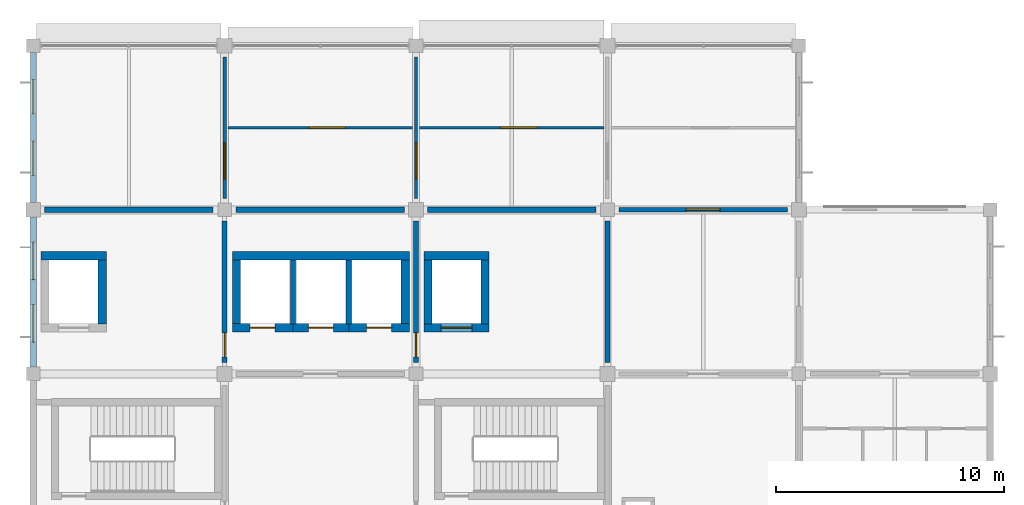
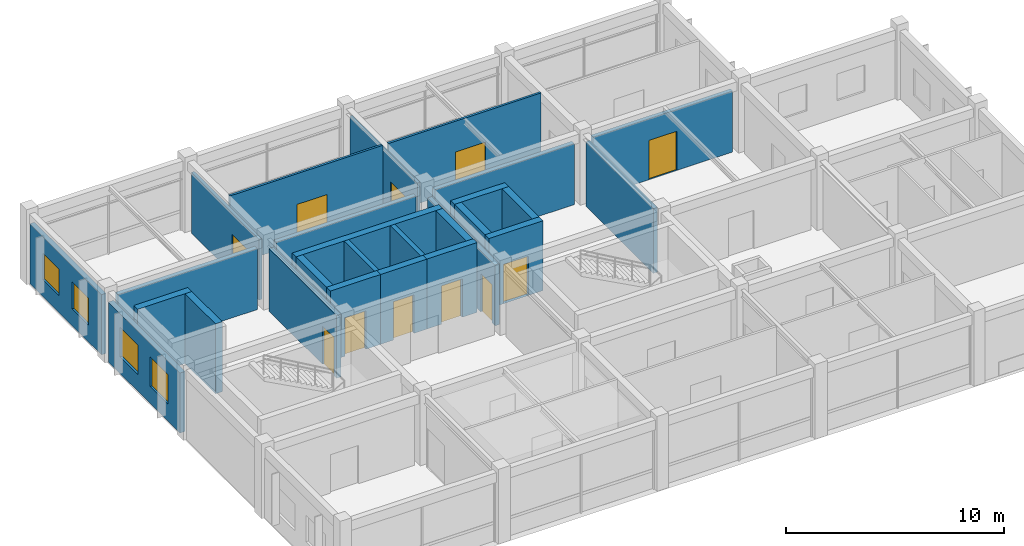
# One storey, part 9 of 13: 27 walls, 11 doors, 4 windows, 15 openings.
"""IFC4 building model written with IfcOpenShell, lengths in metres."""

from ifc_helpers import new_model, si_unit, derived_unit, direction, frame, frame_2d, origin, place, context, subcontext, project, spatial, rectangle, extrude, material, layer, layer_set, type_object, element, fill, save


model = new_model("IFC4")

# Units and contexts
model_context = context("Model", 3, precision=1e-05, world=origin(), true_north=direction((0.0, 1.0)))
body_context = subcontext(model_context, "Body", "Model", "MODEL_VIEW")
ifc_project = project(units=[si_unit("LENGTHUNIT", "METRE"), si_unit("AREAUNIT", "SQUARE_METRE"), si_unit("VOLUMEUNIT", "CUBIC_METRE"), si_unit("PLANEANGLEUNIT", "RADIAN"), si_unit("MASSUNIT", "GRAM", prefix="KILO"), derived_unit("THERMALTRANSMITTANCEUNIT", [(si_unit("MASSUNIT", "GRAM", prefix="KILO"), 1), (si_unit("TIMEUNIT", "SECOND"), -3), (si_unit("THERMODYNAMICTEMPERATUREUNIT", "KELVIN"), -1)])], contexts=[model_context])

# Site, building, storey
site_placement = place(None, origin())
site = spatial("IfcSite", under=ifc_project, at=site_placement, CompositionType="ELEMENT")
building_placement = place(site_placement, origin())
building = spatial("IfcBuilding", under=site, at=building_placement, Name="Veldstrom Oceanarium and Marine Research Institute", CompositionType="ELEMENT")
storey_placement = place(building_placement, frame((0.0, 0.0, 56.39990234375)))
storey = spatial("IfcBuildingStorey", under=building, at=storey_placement, Name="L12", CompositionType="ELEMENT", Elevation=56.39990234375)

# Wall, openings, windows
ifc_material_1 = material(Name="Masonry Cavity Wall", Category="masonry")
ifc_layer_1 = layer(ifc_material_1, 0.27001953125)
ifc_layer_set_1 = layer_set([ifc_layer_1], Name="ARC-WAL-EW3")
wall_type_1 = type_object("IfcWallType", Name="ARC-WAL-EW3", PredefinedType="SOLIDWALL", material=ifc_layer_set_1)
wall_1_placement = place(storey_placement, frame((75.60009765625, 57.89990234375, 0.0), z_axis=(0.0, 0.0, 1.0), x_axis=(0.0, 1.0, 0.0)))
wall_1 = element("IfcWall", 1, at=wall_1_placement, inside=storey, type_object=wall_type_1, Name="Exterior Facade Wall EW3 L12-243", PredefinedType="SOLIDWALL", context=body_context, shape_type="SweptSolid", body=[
    extrude(rectangle(XDim=6.5751953125, YDim=0.27001953125, at=frame_2d((3.28759765625, 0.0))), origin(), (0.0, 0.0, 1.0), 3.364990234375),
])
opening_1_placement = place(wall_1_placement, frame((1.091796875, 0.0, 0.949951171875)))
opening_1 = element("IfcOpeningElement", 2, at=opening_1_placement, cuts=wall_1, Name="Opening W23", PredefinedType="OPENING", context=body_context, shape_type="SweptSolid", body=[
    extrude(rectangle(XDim=1.64990234375, YDim=1.64990234375, at=frame_2d((0.824951171875, 0.824951171875))), frame((0.0, 0.14501953125, 0.0), z_axis=(0.0, -1.0, 0.0), x_axis=(1.0, 0.0, 0.0)), (0.0, 0.0, 1.0), 0.2900390625),
])
opening_2_placement = place(wall_1_placement, frame((3.833251953125, 0.0, 0.949951171875)))
opening_2 = element("IfcOpeningElement", 3, at=opening_2_placement, cuts=wall_1, Name="Opening W23", PredefinedType="OPENING", context=body_context, shape_type="SweptSolid", body=[
    extrude(rectangle(XDim=1.64990234375, YDim=1.64990234375, at=frame_2d((0.824951171875, 0.824951171875))), frame((0.0, 0.14501953125, 0.0), z_axis=(0.0, -1.0, 0.0), x_axis=(1.0, 0.0, 0.0)), (0.0, 0.0, 1.0), 0.2900390625),
])
ifc_material_2 = material(Name="Double Glazed Low-E IGU", Category="glass")
window_type_1 = type_object("IfcWindowType", Name="ARC-WIN-W23", PartitioningType="SINGLE_PANEL", PredefinedType="WINDOW", material=ifc_material_2)
window_1_placement = place(opening_1_placement, origin())
window_1 = element("IfcWindow", 4, at=window_1_placement, inside=storey, type_object=window_type_1, Name="Facade Window W23 L12-0227", OverallHeight=1.64990234375, OverallWidth=1.64990234375, PartitioningType="SINGLE_PANEL", PredefinedType="WINDOW", context=body_context, shape_type="SweptSolid", body=[
    extrude(rectangle(XDim=1.64990234375, YDim=1.64990234375, at=frame_2d((0.824951171875, 0.824951171875))), frame((0.0, 0.030029296875, 0.0), z_axis=(0.0, -1.0, 0.0), x_axis=(1.0, 0.0, 0.0)), (0.0, 0.0, 1.0), 0.06005859375),
])
fill(opening_1, window_1)
window_2_placement = place(opening_2_placement, origin())
window_2 = element("IfcWindow", 5, at=window_2_placement, inside=storey, type_object=window_type_1, Name="Facade Window W23 L12-0228", OverallHeight=1.64990234375, OverallWidth=1.64990234375, PartitioningType="SINGLE_PANEL", PredefinedType="WINDOW", context=body_context, shape_type="SweptSolid", body=[
    extrude(rectangle(XDim=1.64990234375, YDim=1.64990234375, at=frame_2d((0.824951171875, 0.824951171875))), frame((0.0, 0.030029296875, 0.0), z_axis=(0.0, -1.0, 0.0), x_axis=(1.0, 0.0, 0.0)), (0.0, 0.0, 1.0), 0.06005859375),
])
fill(opening_2, window_2)

ifc_material_3 = material(Name="Masonry Cavity Wall", Category="masonry")
ifc_layer_2 = layer(ifc_material_3, 0.25)
ifc_layer_set_2 = layer_set([ifc_layer_2], Name="ARC-WAL-EW5")
wall_type_2 = type_object("IfcWallType", Name="ARC-WAL-EW5", PredefinedType="SOLIDWALL", material=ifc_layer_set_2)
wall_2_placement = place(storey_placement, frame((75.60009765625, 65.125, 0.0), z_axis=(0.0, 0.0, 1.0), x_axis=(0.0, 1.0, 0.0)))
wall_2 = element("IfcWall", 6, at=wall_2_placement, inside=storey, type_object=wall_type_2, Name="Exterior Facade Wall EW5 L12-244", PredefinedType="SOLIDWALL", context=body_context, shape_type="SweptSolid", body=[
    extrude(rectangle(XDim=6.574951171875, YDim=0.25, at=frame_2d((3.28759765625, 0.0))), origin(), (0.0, 0.0, 1.0), 3.364990234375),
])
opening_3_placement = place(wall_2_placement, frame((1.191650390625, 0.0, 0.949951171875)))
opening_3 = element("IfcOpeningElement", 7, at=opening_3_placement, cuts=wall_2, Name="Opening W15", PredefinedType="OPENING", context=body_context, shape_type="SweptSolid", body=[
    extrude(rectangle(XDim=1.5, YDim=1.5, at=frame_2d((0.75, 0.75))), frame((0.0, 0.135009765625, 0.0), z_axis=(0.0, -1.0, 0.0), x_axis=(1.0, 0.0, 0.0)), (0.0, 0.0, 1.0), 0.27001953125),
])
opening_4_placement = place(wall_2_placement, frame((3.88330078125, 0.0, 0.949951171875)))
opening_4 = element("IfcOpeningElement", 8, at=opening_4_placement, cuts=wall_2, Name="Opening W15", PredefinedType="OPENING", context=body_context, shape_type="SweptSolid", body=[
    extrude(rectangle(XDim=1.5, YDim=1.5, at=frame_2d((0.75, 0.75))), frame((0.0, 0.135009765625, 0.0), z_axis=(0.0, -1.0, 0.0), x_axis=(1.0, 0.0, 0.0)), (0.0, 0.0, 1.0), 0.27001953125),
])
ifc_material_4 = material(Name="Double Glazed Low-E IGU", Category="glass")
window_type_2 = type_object("IfcWindowType", Name="ARC-WIN-W15", PartitioningType="SINGLE_PANEL", PredefinedType="WINDOW", material=ifc_material_4)
window_3_placement = place(opening_3_placement, origin())
window_3 = element("IfcWindow", 9, at=window_3_placement, inside=storey, type_object=window_type_2, Name="Facade Window W15 L12-0229", OverallHeight=1.5, OverallWidth=1.5, PartitioningType="SINGLE_PANEL", PredefinedType="WINDOW", context=body_context, shape_type="SweptSolid", body=[
    extrude(rectangle(XDim=1.5, YDim=1.5, at=frame_2d((0.75, 0.75))), frame((0.0, 0.030029296875, 0.0), z_axis=(0.0, -1.0, 0.0), x_axis=(1.0, 0.0, 0.0)), (0.0, 0.0, 1.0), 0.06005859375),
])
fill(opening_3, window_3)
window_4_placement = place(opening_4_placement, origin())
window_4 = element("IfcWindow", 10, at=window_4_placement, inside=storey, type_object=window_type_2, Name="Facade Window W15 L12-0230", OverallHeight=1.5, OverallWidth=1.5, PartitioningType="SINGLE_PANEL", PredefinedType="WINDOW", context=body_context, shape_type="SweptSolid", body=[
    extrude(rectangle(XDim=1.5, YDim=1.5, at=frame_2d((0.75, 0.75))), frame((0.0, 0.030029296875, 0.0), z_axis=(0.0, -1.0, 0.0), x_axis=(1.0, 0.0, 0.0)), (0.0, 0.0, 1.0), 0.06005859375),
])
fill(opening_4, window_4)

# Wall, opening, door
ifc_material_5 = material(Name="Masonry Fire Compartment Wall", Category="masonry")
ifc_layer_3 = layer(ifc_material_5, 0.22998046875)
ifc_layer_set_3 = layer_set([ifc_layer_3], Name="ARC-WAL-PT1")
wall_type_3 = type_object("IfcWallType", Name="ARC-WAL-PT1", PredefinedType="PARTITIONING", material=ifc_layer_set_3)
wall_3_placement = place(storey_placement, frame((84.0, 58.10009765625, 0.0), z_axis=(0.0, 0.0, 1.0), x_axis=(0.0, 1.0, 0.0)))
wall_3 = element("IfcWall", 11, at=wall_3_placement, inside=storey, type_object=wall_type_3, Name="Interior Partition PT1 L12-1713", PredefinedType="PARTITIONING", context=body_context, shape_type="SweptSolid", body=[
    extrude(rectangle(XDim=6.199951171875, YDim=0.22998046875, at=frame_2d((3.10009765625, 0.0))), origin(), (0.0, 0.0, 1.0), 3.51513671875),
])
opening_5_placement = place(wall_3_placement, frame((0.25, 0.0, 0.0)))
opening_5 = element("IfcOpeningElement", 12, at=opening_5_placement, cuts=wall_3, Name="Opening D-L12-1055", PredefinedType="OPENING", context=body_context, shape_type="SweptSolid", body=[
    extrude(rectangle(XDim=1.050048828125, YDim=2.14990234375, at=frame_2d((0.52490234375, 1.074951171875))), frame((0.0, 0.125, 0.0), z_axis=(0.0, -1.0, 0.0), x_axis=(1.0, 0.0, 0.0)), (0.0, 0.0, 1.0), 0.25),
])
ifc_material_6 = material(Name="Painted Steel Fire Door", Category="steel")
door_type_1 = type_object("IfcDoorType", Name="ARC-DOR-SD1", OperationType="SINGLE_SWING_LEFT", PredefinedType="DOOR", material=ifc_material_6)
door_1_placement = place(opening_5_placement, origin())
door_1 = element("IfcDoor", 13, at=door_1_placement, inside=storey, type_object=door_type_1, Name="Interior Door D-L12-1055", OperationType="SINGLE_SWING_LEFT", OverallHeight=2.14990234375, OverallWidth=1.050048828125, PredefinedType="DOOR", context=body_context, shape_type="SweptSolid", body=[
    extrude(rectangle(XDim=1.050048828125, YDim=2.14990234375, at=frame_2d((0.52490234375, 1.074951171875))), frame((0.0, 0.02490234375, 0.0), z_axis=(0.0, -1.0, 0.0), x_axis=(1.0, 0.0, 0.0)), (0.0, 0.0, 1.0), 0.050048828125),
])
fill(opening_5, door_1)

# Wall
wall_4_placement = place(storey_placement, frame((76.10009765625, 64.800048828125, 0.0), z_axis=(0.0, 0.0, 1.0), x_axis=(1.0, 0.0, 0.0)))
element("IfcWall", 14, at=wall_4_placement, inside=storey, type_object=wall_type_3, Name="Interior Partition PT1 L12-1714", PredefinedType="PARTITIONING", context=body_context, shape_type="SweptSolid", body=[
    extrude(rectangle(XDim=7.39990234375, YDim=0.22998046875, at=frame_2d((3.699951171875, 0.0))), origin(), (0.0, 0.0, 1.0), 3.4150390625),
])

# Wall, opening, door
wall_5_placement = place(storey_placement, frame((92.39990234375, 58.10009765625, 0.0), z_axis=(0.0, 0.0, 1.0), x_axis=(0.0, 1.0, 0.0)))
wall_5 = element("IfcWall", 15, at=wall_5_placement, inside=storey, type_object=wall_type_3, Name="Interior Partition PT1 L12-1720", PredefinedType="PARTITIONING", context=body_context, shape_type="SweptSolid", body=[
    extrude(rectangle(XDim=6.199951171875, YDim=0.22998046875, at=frame_2d((3.10009765625, 0.0))), origin(), (0.0, 0.0, 1.0), 3.4150390625),
])
opening_6_placement = place(wall_5_placement, frame((0.25, 0.0, 0.0)))
opening_6 = element("IfcOpeningElement", 16, at=opening_6_placement, cuts=wall_5, Name="Opening D-L12-1061", PredefinedType="OPENING", context=body_context, shape_type="SweptSolid", body=[
    extrude(rectangle(XDim=1.050048828125, YDim=2.14990234375, at=frame_2d((0.52490234375, 1.074951171875))), frame((0.0, 0.125, 0.0), z_axis=(0.0, -1.0, 0.0), x_axis=(1.0, 0.0, 0.0)), (0.0, 0.0, 1.0), 0.25),
])
door_2_placement = place(opening_6_placement, frame((1.050048828125, 0.0, 0.0), z_axis=(0.0, 0.0, 1.0), x_axis=(-1.0, 0.0, 0.0)))
door_2 = element("IfcDoor", 17, at=door_2_placement, inside=storey, type_object=door_type_1, Name="Interior Door D-L12-1061", OperationType="SINGLE_SWING_RIGHT", OverallHeight=2.14990234375, OverallWidth=1.050048828125, PredefinedType="DOOR", context=body_context, shape_type="SweptSolid", body=[
    extrude(rectangle(XDim=1.050048828125, YDim=2.14990234375, at=frame_2d((0.52490234375, 1.074951171875))), frame((0.0, 0.02490234375, 0.0), z_axis=(0.0, -1.0, 0.0), x_axis=(1.0, 0.0, 0.0)), (0.0, 0.0, 1.0), 0.050048828125),
])
fill(opening_6, door_2)

# Walls
wall_6_placement = place(storey_placement, frame((84.5, 64.800048828125, 0.0), z_axis=(0.0, 0.0, 1.0), x_axis=(1.0, 0.0, 0.0)))
element("IfcWall", 18, at=wall_6_placement, inside=storey, type_object=wall_type_3, Name="Interior Partition PT1 L12-1721", PredefinedType="PARTITIONING", context=body_context, shape_type="SweptSolid", body=[
    extrude(rectangle(XDim=7.39990234375, YDim=0.22998046875, at=frame_2d((3.699951171875, 0.0))), origin(), (0.0, 0.0, 1.0), 3.4150390625),
])
wall_7_placement = place(storey_placement, frame((100.800048828125, 58.10009765625, 0.0), z_axis=(0.0, 0.0, 1.0), x_axis=(0.0, 1.0, 0.0)))
element("IfcWall", 19, at=wall_7_placement, inside=storey, type_object=wall_type_3, Name="Interior Partition PT1 L12-1727", PredefinedType="PARTITIONING", context=body_context, shape_type="SweptSolid", body=[
    extrude(rectangle(XDim=6.199951171875, YDim=0.22998046875, at=frame_2d((3.10009765625, 0.0))), origin(), (0.0, 0.0, 1.0), 3.625),
])
wall_8_placement = place(storey_placement, frame((92.89990234375, 64.800048828125, 0.0), z_axis=(0.0, 0.0, 1.0), x_axis=(1.0, 0.0, 0.0)))
element("IfcWall", 20, at=wall_8_placement, inside=storey, type_object=wall_type_3, Name="Interior Partition PT1 L12-1728", PredefinedType="PARTITIONING", context=body_context, shape_type="SweptSolid", body=[
    extrude(rectangle(XDim=7.400146484375, YDim=0.22998046875, at=frame_2d((3.7001953125, 0.0))), origin(), (0.0, 0.0, 1.0), 3.4150390625),
])

# Wall, opening, door
ifc_material_7 = material(Name="Gypsum Acoustic Lab Partition", Category="gypsum")
ifc_layer_4 = layer(ifc_material_7, 0.1201171875)
ifc_layer_set_4 = layer_set([ifc_layer_4], Name="ARC-WAL-PT10")
wall_type_4 = type_object("IfcWallType", Name="ARC-WAL-PT10", PredefinedType="PARTITIONING", material=ifc_layer_set_4)
wall_9_placement = place(storey_placement, frame((84.14990234375, 68.39990234375, 0.0), z_axis=(0.0, 0.0, 1.0), x_axis=(1.0, 0.0, 0.0)))
wall_9 = element("IfcWall", 21, at=wall_9_placement, inside=storey, type_object=wall_type_4, Name="Laboratory Suite Partition L12-10/9", PredefinedType="PARTITIONING", context=body_context, shape_type="SweptSolid", body=[
    extrude(rectangle(XDim=8.10009765625, YDim=0.1201171875, at=frame_2d((4.050048828125, 0.0))), origin(), (0.0, 0.0, 1.0), 3.920166015625),
])
opening_7_placement = place(wall_9_placement, frame((3.550048828125, 0.0, 0.0)))
opening_7 = element("IfcOpeningElement", 22, at=opening_7_placement, cuts=wall_9, Name="Opening D-L12-S1049", PredefinedType="OPENING", context=body_context, shape_type="SweptSolid", body=[
    extrude(rectangle(XDim=1.60009765625, YDim=2.199951171875, at=frame_2d((0.800048828125, 1.10009765625))), frame((0.0, 0.070068359375, 0.0), z_axis=(0.0, -1.0, 0.0), x_axis=(1.0, 0.0, 0.0)), (0.0, 0.0, 1.0), 0.14013671875),
])
ifc_material_8 = material(Name="Acoustic Timber Corridor Door", Category="wood")
door_type_2 = type_object("IfcDoorType", Name="ARC-DOR-ID02", OperationType="DOUBLE_DOOR_SINGLE_SWING", PredefinedType="DOOR", material=ifc_material_8)
door_3_placement = place(opening_7_placement, origin())
door_3 = element("IfcDoor", 23, at=door_3_placement, inside=storey, type_object=door_type_2, Name="Suite Interior Door D-L12-S1049", OperationType="SINGLE_SWING_LEFT", OverallHeight=2.199951171875, OverallWidth=1.60009765625, PredefinedType="DOOR", context=body_context, shape_type="SweptSolid", body=[
    extrude(rectangle(XDim=1.60009765625, YDim=2.199951171875, at=frame_2d((0.800048828125, 1.10009765625))), frame((0.0, 0.02490234375, 0.0), z_axis=(0.0, -1.0, 0.0), x_axis=(1.0, 0.0, 0.0)), (0.0, 0.0, 1.0), 0.050048828125),
])
fill(opening_7, door_3)

wall_10_placement = place(storey_placement, frame((92.550048828125, 68.39990234375, 0.0), z_axis=(0.0, 0.0, 1.0), x_axis=(1.0, 0.0, 0.0)))
wall_10 = element("IfcWall", 24, at=wall_10_placement, inside=storey, type_object=wall_type_4, Name="Laboratory Suite Partition L12-11/9", PredefinedType="PARTITIONING", context=body_context, shape_type="SweptSolid", body=[
    extrude(rectangle(XDim=8.099853515625, YDim=0.1201171875, at=frame_2d((4.0498046875, 0.0))), origin(), (0.0, 0.0, 1.0), 3.920166015625),
])
opening_8_placement = place(wall_10_placement, frame((3.550048828125, 0.0, 0.0)))
opening_8 = element("IfcOpeningElement", 25, at=opening_8_placement, cuts=wall_10, Name="Opening D-L12-S1050", PredefinedType="OPENING", context=body_context, shape_type="SweptSolid", body=[
    extrude(rectangle(XDim=1.60009765625, YDim=2.199951171875, at=frame_2d((0.800048828125, 1.10009765625))), frame((0.0, 0.070068359375, 0.0), z_axis=(0.0, -1.0, 0.0), x_axis=(1.0, 0.0, 0.0)), (0.0, 0.0, 1.0), 0.14013671875),
])
door_4_placement = place(opening_8_placement, origin())
door_4 = element("IfcDoor", 26, at=door_4_placement, inside=storey, type_object=door_type_2, Name="Suite Interior Door D-L12-S1050", OperationType="SINGLE_SWING_RIGHT", OverallHeight=2.199951171875, OverallWidth=1.60009765625, PredefinedType="DOOR", context=body_context, shape_type="SweptSolid", body=[
    extrude(rectangle(XDim=1.60009765625, YDim=2.199951171875, at=frame_2d((0.800048828125, 1.10009765625))), frame((0.0, 0.02490234375, 0.0), z_axis=(0.0, -1.0, 0.0), x_axis=(1.0, 0.0, 0.0)), (0.0, 0.0, 1.0), 0.050048828125),
])
fill(opening_8, door_4)

ifc_material_9 = material(Name="Masonry Acoustic Lab Partition", Category="masonry")
ifc_layer_5 = layer(ifc_material_9, 0.205078125)
ifc_layer_set_5 = layer_set([ifc_layer_5], Name="ARC-WAL-PT2")
wall_type_5 = type_object("IfcWallType", Name="ARC-WAL-PT2", PredefinedType="PARTITIONING", material=ifc_layer_set_5)
wall_11_placement = place(storey_placement, frame((101.300048828125, 64.800048828125, 0.0), z_axis=(0.0, 0.0, 1.0), x_axis=(1.0, 0.0, 0.0)))
wall_11 = element("IfcWall", 27, at=wall_11_placement, inside=storey, type_object=wall_type_5, Name="Interior Partition PT2 L12-1735", PredefinedType="PARTITIONING", context=body_context, shape_type="SweptSolid", body=[
    extrude(rectangle(XDim=7.39990234375, YDim=0.205078125, at=frame_2d((3.699951171875, 0.0))), origin(), (0.0, 0.0, 1.0), 3.4150390625),
])
opening_9_placement = place(wall_11_placement, frame((2.949951171875, 0.0, 0.0)))
opening_9 = element("IfcOpeningElement", 28, at=opening_9_placement, cuts=wall_11, Name="Opening D-L12-1070", PredefinedType="OPENING", context=body_context, shape_type="SweptSolid", body=[
    extrude(rectangle(XDim=1.5, YDim=2.199951171875, at=frame_2d((0.75, 1.10009765625))), frame((0.0, 0.112548828125, 0.0), z_axis=(0.0, -1.0, 0.0), x_axis=(1.0, 0.0, 0.0)), (0.0, 0.0, 1.0), 0.22509765625),
])
ifc_material_10 = material(Name="Laboratory Double Leaf Door", Category="timber")
door_type_3 = type_object("IfcDoorType", Name="ARC-DOR-ID03", OperationType="DOUBLE_DOOR_SINGLE_SWING", PredefinedType="DOOR", material=ifc_material_10)
door_5_placement = place(opening_9_placement, origin())
door_5 = element("IfcDoor", 29, at=door_5_placement, inside=storey, type_object=door_type_3, Name="Interior Door D-L12-1070", OperationType="DOUBLE_DOOR_SINGLE_SWING", OverallHeight=2.199951171875, OverallWidth=1.5, PredefinedType="DOOR", context=body_context, shape_type="SweptSolid", body=[
    extrude(rectangle(XDim=1.5, YDim=2.199951171875, at=frame_2d((0.75, 1.10009765625))), frame((0.0, 0.02490234375, 0.0), z_axis=(0.0, -1.0, 0.0), x_axis=(1.0, 0.0, 0.0)), (0.0, 0.0, 1.0), 0.050048828125),
])
fill(opening_9, door_5)

ifc_material_11 = material(Name="Drywall Corridor Partition", Category="gypsum")
ifc_layer_6 = layer(ifc_material_11, 0.155029296875)
ifc_layer_set_6 = layer_set([ifc_layer_6], Name="ARC-WAL-PT4")
wall_type_6 = type_object("IfcWallType", Name="ARC-WAL-PT4", PredefinedType="PARTITIONING", material=ifc_layer_set_6)
wall_12_placement = place(storey_placement, frame((84.0, 65.300048828125, 0.0), z_axis=(0.0, 0.0, 1.0), x_axis=(0.0, 1.0, 0.0)))
wall_12 = element("IfcWall", 30, at=wall_12_placement, inside=storey, type_object=wall_type_6, Name="Interior Partition PT4 L12-1715", PredefinedType="PARTITIONING", context=body_context, shape_type="SweptSolid", body=[
    extrude(rectangle(XDim=6.199951171875, YDim=0.155029296875, at=frame_2d((3.10009765625, 0.0))), origin(), (0.0, 0.0, 1.0), 3.4150390625),
])
opening_10_placement = place(wall_12_placement, frame((0.85009765625, 0.0, 0.0)))
opening_10 = element("IfcOpeningElement", 31, at=opening_10_placement, cuts=wall_12, Name="Opening D-L12-1056", PredefinedType="OPENING", context=body_context, shape_type="SweptSolid", body=[
    extrude(rectangle(XDim=1.60009765625, YDim=2.199951171875, at=frame_2d((0.800048828125, 1.10009765625))), frame((0.0, 0.08740234375, 0.0), z_axis=(0.0, -1.0, 0.0), x_axis=(1.0, 0.0, 0.0)), (0.0, 0.0, 1.0), 0.175048828125),
])
door_6_placement = place(opening_10_placement, frame((1.60009765625, 0.0, 0.0), z_axis=(0.0, 0.0, 1.0), x_axis=(-1.0, 0.0, 0.0)))
door_6 = element("IfcDoor", 32, at=door_6_placement, inside=storey, type_object=door_type_2, Name="Interior Door D-L12-1056", OperationType="DOUBLE_DOOR_SINGLE_SWING", OverallHeight=2.199951171875, OverallWidth=1.60009765625, PredefinedType="DOOR", context=body_context, shape_type="SweptSolid", body=[
    extrude(rectangle(XDim=1.60009765625, YDim=2.199951171875, at=frame_2d((0.800048828125, 1.10009765625))), frame((0.0, 0.02490234375, 0.0), z_axis=(0.0, -1.0, 0.0), x_axis=(1.0, 0.0, 0.0)), (0.0, 0.0, 1.0), 0.050048828125),
])
fill(opening_10, door_6)

ifc_material_12 = material(Name="Moisture-Resistant Wet-Area Partition", Category="masonry")
ifc_layer_7 = layer(ifc_material_12, 0.139892578125)
ifc_layer_set_7 = layer_set([ifc_layer_7], Name="ARC-WAL-PT5")
wall_type_7 = type_object("IfcWallType", Name="ARC-WAL-PT5", PredefinedType="PARTITIONING", material=ifc_layer_set_7)
wall_13_placement = place(storey_placement, frame((92.39990234375, 65.300048828125, 0.0), z_axis=(0.0, 0.0, 1.0), x_axis=(0.0, 1.0, 0.0)))
wall_13 = element("IfcWall", 33, at=wall_13_placement, inside=storey, type_object=wall_type_7, Name="Interior Partition PT5 L12-1722", PredefinedType="PARTITIONING", context=body_context, shape_type="SweptSolid", body=[
    extrude(rectangle(XDim=6.199951171875, YDim=0.139892578125, at=frame_2d((3.10009765625, 0.0))), origin(), (0.0, 0.0, 1.0), 3.625),
])
opening_11_placement = place(wall_13_placement, frame((0.85009765625, 0.0, 0.0)))
opening_11 = element("IfcOpeningElement", 34, at=opening_11_placement, cuts=wall_13, Name="Opening D-L12-1062", PredefinedType="OPENING", context=body_context, shape_type="SweptSolid", body=[
    extrude(rectangle(XDim=1.60009765625, YDim=2.199951171875, at=frame_2d((0.800048828125, 1.10009765625))), frame((0.0, 0.079833984375, 0.0), z_axis=(0.0, -1.0, 0.0), x_axis=(1.0, 0.0, 0.0)), (0.0, 0.0, 1.0), 0.159912109375),
])
door_7_placement = place(opening_11_placement, origin())
door_7 = element("IfcDoor", 35, at=door_7_placement, inside=storey, type_object=door_type_2, Name="Interior Door D-L12-1062", OperationType="DOUBLE_DOOR_SINGLE_SWING", OverallHeight=2.199951171875, OverallWidth=1.60009765625, PredefinedType="DOOR", context=body_context, shape_type="SweptSolid", body=[
    extrude(rectangle(XDim=1.60009765625, YDim=2.199951171875, at=frame_2d((0.800048828125, 1.10009765625))), frame((0.0, 0.02490234375, 0.0), z_axis=(0.0, -1.0, 0.0), x_axis=(1.0, 0.0, 0.0)), (0.0, 0.0, 1.0), 0.050048828125),
])
fill(opening_11, door_7)

# Walls
ifc_material_13 = material(Name="Concrete C40/50", Category="concrete")
ifc_layer_8 = layer(ifc_material_13, 0.360107421875)
ifc_layer_set_8 = layer_set([ifc_layer_8], Name="STR-WAL-WC2")
wall_type_8 = type_object("IfcWallType", Name="STR-WAL-WC2", PredefinedType="SHEAR", material=ifc_layer_set_8)
wall_14_placement = place(storey_placement, frame((75.93994140625, 62.780029296875, 0.0), z_axis=(0.0, 0.0, 1.0), x_axis=(1.0, 0.0, 0.0)))
element("IfcWall", 36, at=wall_14_placement, inside=storey, type_object=wall_type_8, Name="Lift Shaft Shear Wall N L12 9/8", PredefinedType="SHEAR", context=body_context, shape_type="SweptSolid", body=[
    extrude(rectangle(XDim=2.8701171875, YDim=0.360107421875, at=frame_2d((1.43505859375, 0.0))), origin(), (0.0, 0.0, 1.0), 3.920166015625),
])
wall_15_placement = place(storey_placement, frame((78.6298828125, 59.800048828125, 0.0), z_axis=(0.0, 0.0, 1.0), x_axis=(0.0, 1.0, 0.0)))
element("IfcWall", 37, at=wall_15_placement, inside=storey, type_object=wall_type_8, Name="Lift Shaft Shear Wall E L12 9/8", PredefinedType="SHEAR", context=body_context, shape_type="SweptSolid", body=[
    extrude(rectangle(XDim=2.800048828125, YDim=0.360107421875, at=frame_2d((1.39990234375, 0.0))), origin(), (0.0, 0.0, 1.0), 3.920166015625),
])
wall_16_placement = place(storey_placement, frame((84.340087890625, 62.780029296875, 0.0), z_axis=(0.0, 0.0, 1.0), x_axis=(1.0, 0.0, 0.0)))
element("IfcWall", 38, at=wall_16_placement, inside=storey, type_object=wall_type_8, Name="Lift Shaft Shear Wall N L12 10/8", PredefinedType="SHEAR", context=body_context, shape_type="SweptSolid", body=[
    extrude(rectangle(XDim=7.77001953125, YDim=0.360107421875, at=frame_2d((3.885009765625, 0.0))), origin(), (0.0, 0.0, 1.0), 3.920166015625),
])

# Wall, opening, door
wall_17_placement = place(storey_placement, frame((84.340087890625, 59.6201171875, 0.0), z_axis=(0.0, 0.0, 1.0), x_axis=(1.0, 0.0, 0.0)))
wall_17 = element("IfcWall", 39, at=wall_17_placement, inside=storey, type_object=wall_type_8, Name="Lift Shaft Front Shear Wall LP1 L12", PredefinedType="SHEAR", context=body_context, shape_type="SweptSolid", body=[
    extrude(rectangle(XDim=2.659912109375, YDim=0.360107421875, at=frame_2d((1.330078125, 0.0))), origin(), (0.0, 0.0, 1.0), 3.920166015625),
])
opening_12_placement = place(wall_17_placement, frame((0.780029296875, 0.0, 0.0)))
opening_12 = element("IfcOpeningElement", 40, at=opening_12_placement, cuts=wall_17, Name="Opening LD-LP1-L12", PredefinedType="OPENING", context=body_context, shape_type="SweptSolid", body=[
    extrude(rectangle(XDim=1.10009765625, YDim=2.14990234375, at=frame_2d((0.550048828125, 1.074951171875))), frame((0.0, 0.18994140625, 0.0), z_axis=(0.0, -1.0, 0.0), x_axis=(1.0, 0.0, 0.0)), (0.0, 0.0, 1.0), 0.380126953125),
])
ifc_material_14 = material(Name="Stainless Steel Lift Landing Door", Category="steel")
door_type_4 = type_object("IfcDoorType", Name="ARC-DOR-LD1", OperationType="DOUBLE_DOOR_SLIDING", PredefinedType="DOOR", material=ifc_material_14)
door_8_placement = place(opening_12_placement, origin())
door_8 = element("IfcDoor", 41, at=door_8_placement, inside=storey, type_object=door_type_4, Name="Lift Landing Door LD-LP1-L12", OperationType="DOUBLE_DOOR_SLIDING", OverallHeight=2.14990234375, OverallWidth=1.10009765625, PredefinedType="DOOR", context=body_context, shape_type="SweptSolid", body=[
    extrude(rectangle(XDim=1.10009765625, YDim=2.14990234375, at=frame_2d((0.550048828125, 1.074951171875))), frame((0.0, 0.02490234375, 0.0), z_axis=(0.0, -1.0, 0.0), x_axis=(1.0, 0.0, 0.0)), (0.0, 0.0, 1.0), 0.050048828125),
])
fill(opening_12, door_8)

wall_18_placement = place(storey_placement, frame((87.0, 59.6201171875, 0.0), z_axis=(0.0, 0.0, 1.0), x_axis=(1.0, 0.0, 0.0)))
wall_18 = element("IfcWall", 42, at=wall_18_placement, inside=storey, type_object=wall_type_8, Name="Lift Shaft Front Shear Wall LP2 L12", PredefinedType="SHEAR", context=body_context, shape_type="SweptSolid", body=[
    extrude(rectangle(XDim=2.449951171875, YDim=0.360107421875, at=frame_2d((1.22509765625, 0.0))), origin(), (0.0, 0.0, 1.0), 3.920166015625),
])
opening_13_placement = place(wall_18_placement, frame((0.675048828125, 0.0, 0.0)))
opening_13 = element("IfcOpeningElement", 43, at=opening_13_placement, cuts=wall_18, Name="Opening LD-LP2-L12", PredefinedType="OPENING", context=body_context, shape_type="SweptSolid", body=[
    extrude(rectangle(XDim=1.10009765625, YDim=2.14990234375, at=frame_2d((0.550048828125, 1.074951171875))), frame((0.0, 0.18994140625, 0.0), z_axis=(0.0, -1.0, 0.0), x_axis=(1.0, 0.0, 0.0)), (0.0, 0.0, 1.0), 0.380126953125),
])
door_9_placement = place(opening_13_placement, origin())
door_9 = element("IfcDoor", 44, at=door_9_placement, inside=storey, type_object=door_type_4, Name="Lift Landing Door LD-LP2-L12", OperationType="DOUBLE_DOOR_SLIDING", OverallHeight=2.14990234375, OverallWidth=1.10009765625, PredefinedType="DOOR", context=body_context, shape_type="SweptSolid", body=[
    extrude(rectangle(XDim=1.10009765625, YDim=2.14990234375, at=frame_2d((0.550048828125, 1.074951171875))), frame((0.0, 0.02490234375, 0.0), z_axis=(0.0, -1.0, 0.0), x_axis=(1.0, 0.0, 0.0)), (0.0, 0.0, 1.0), 0.050048828125),
])
fill(opening_13, door_9)

wall_19_placement = place(storey_placement, frame((89.449951171875, 59.6201171875, 0.0), z_axis=(0.0, 0.0, 1.0), x_axis=(1.0, 0.0, 0.0)))
wall_19 = element("IfcWall", 45, at=wall_19_placement, inside=storey, type_object=wall_type_8, Name="Lift Shaft Front Shear Wall LP3 L12", PredefinedType="SHEAR", context=body_context, shape_type="SweptSolid", body=[
    extrude(rectangle(XDim=2.66015625, YDim=0.360107421875, at=frame_2d((1.330078125, 0.0))), origin(), (0.0, 0.0, 1.0), 3.920166015625),
])
opening_14_placement = place(wall_19_placement, frame((0.780029296875, 0.0, 0.0)))
opening_14 = element("IfcOpeningElement", 46, at=opening_14_placement, cuts=wall_19, Name="Opening LD-LP3-L12", PredefinedType="OPENING", context=body_context, shape_type="SweptSolid", body=[
    extrude(rectangle(XDim=1.10009765625, YDim=2.14990234375, at=frame_2d((0.550048828125, 1.074951171875))), frame((0.0, 0.18994140625, 0.0), z_axis=(0.0, -1.0, 0.0), x_axis=(1.0, 0.0, 0.0)), (0.0, 0.0, 1.0), 0.380126953125),
])
door_10_placement = place(opening_14_placement, origin())
door_10 = element("IfcDoor", 47, at=door_10_placement, inside=storey, type_object=door_type_4, Name="Lift Landing Door LD-LP3-L12", OperationType="DOUBLE_DOOR_SLIDING", OverallHeight=2.14990234375, OverallWidth=1.10009765625, PredefinedType="DOOR", context=body_context, shape_type="SweptSolid", body=[
    extrude(rectangle(XDim=1.10009765625, YDim=2.14990234375, at=frame_2d((0.550048828125, 1.074951171875))), frame((0.0, 0.02490234375, 0.0), z_axis=(0.0, -1.0, 0.0), x_axis=(1.0, 0.0, 0.0)), (0.0, 0.0, 1.0), 0.050048828125),
])
fill(opening_14, door_10)

# Walls
for number, where, z_axis, x_axis, name in (
    (48, (84.52001953125, 59.800048828125, 0.0), (0.0, 0.0, 1.0), (0.0, 1.0, 0.0), "Lift Shaft Shear Wall W L12 10/8"),
    (49, (91.929931640625, 59.800048828125, 0.0), (0.0, 0.0, 1.0), (0.0, 1.0, 0.0), "Lift Shaft Shear Wall E L12 10/8"),
):
    element("IfcWall", number, at=place(storey_placement, frame(where, z_axis=z_axis, x_axis=x_axis)), inside=storey, type_object=wall_type_8, Name=name, PredefinedType="SHEAR", context=body_context, shape_type="SweptSolid", body=[
        extrude(rectangle(XDim=2.800048828125, YDim=0.360107421875, at=frame_2d((1.39990234375, 0.0))), origin(), (0.0, 0.0, 1.0), 3.920166015625),
    ])
wall_20_placement = place(storey_placement, frame((92.739990234375, 62.780029296875, 0.0), z_axis=(0.0, 0.0, 1.0), x_axis=(1.0, 0.0, 0.0)))
element("IfcWall", 50, at=wall_20_placement, inside=storey, type_object=wall_type_8, Name="Lift Shaft Shear Wall N L12 11/8", PredefinedType="SHEAR", context=body_context, shape_type="SweptSolid", body=[
    extrude(rectangle(XDim=2.8701171875, YDim=0.360107421875, at=frame_2d((1.43505859375, 0.0))), origin(), (0.0, 0.0, 1.0), 3.920166015625),
])

# Wall, opening, door
wall_21_placement = place(storey_placement, frame((92.739990234375, 59.6201171875, 0.0), z_axis=(0.0, 0.0, 1.0), x_axis=(1.0, 0.0, 0.0)))
wall_21 = element("IfcWall", 51, at=wall_21_placement, inside=storey, type_object=wall_type_8, Name="Lift Shaft Front Shear Wall LF2 L12", PredefinedType="SHEAR", context=body_context, shape_type="SweptSolid", body=[
    extrude(rectangle(XDim=2.8701171875, YDim=0.360107421875, at=frame_2d((1.43505859375, 0.0))), origin(), (0.0, 0.0, 1.0), 3.920166015625),
])
opening_15_placement = place(wall_21_placement, frame((0.760009765625, 0.0, 0.0)))
opening_15 = element("IfcOpeningElement", 52, at=opening_15_placement, cuts=wall_21, Name="Opening LD-LF2-L12", PredefinedType="OPENING", context=body_context, shape_type="SweptSolid", body=[
    extrude(rectangle(XDim=1.35009765625, YDim=2.199951171875, at=frame_2d((0.675048828125, 1.10009765625))), frame((0.0, 0.18994140625, 0.0), z_axis=(0.0, -1.0, 0.0), x_axis=(1.0, 0.0, 0.0)), (0.0, 0.0, 1.0), 0.380126953125),
])
ifc_material_15 = material(Name="Stainless Steel Lift Landing Door", Category="steel")
door_type_5 = type_object("IfcDoorType", Name="ARC-DOR-LD3", OperationType="DOUBLE_DOOR_SLIDING", PredefinedType="DOOR", material=ifc_material_15)
door_11_placement = place(opening_15_placement, origin())
door_11 = element("IfcDoor", 53, at=door_11_placement, inside=storey, type_object=door_type_5, Name="Lift Landing Door LD-LF2-L12", OperationType="DOUBLE_DOOR_SLIDING", OverallHeight=2.199951171875, OverallWidth=1.35009765625, PredefinedType="DOOR", context=body_context, shape_type="SweptSolid", body=[
    extrude(rectangle(XDim=1.35009765625, YDim=2.199951171875, at=frame_2d((0.675048828125, 1.10009765625))), frame((0.0, 0.02490234375, 0.0), z_axis=(0.0, -1.0, 0.0), x_axis=(1.0, 0.0, 0.0)), (0.0, 0.0, 1.0), 0.050048828125),
])
fill(opening_15, door_11)

# Walls
for number, where, z_axis, x_axis, name in (
    (54, (92.919921875, 59.800048828125, 0.0), (0.0, 0.0, 1.0), (0.0, 1.0, 0.0), "Lift Shaft Shear Wall W L12 11/8"),
    (55, (95.429931640625, 59.800048828125, 0.0), (0.0, 0.0, 1.0), (0.0, 1.0, 0.0), "Lift Shaft Shear Wall E L12 11/8"),
):
    element("IfcWall", number, at=place(storey_placement, frame(where, z_axis=z_axis, x_axis=x_axis)), inside=storey, type_object=wall_type_8, Name=name, PredefinedType="SHEAR", context=body_context, shape_type="SweptSolid", body=[
        extrude(rectangle(XDim=2.800048828125, YDim=0.360107421875, at=frame_2d((1.39990234375, 0.0))), origin(), (0.0, 0.0, 1.0), 3.920166015625),
    ])
ifc_material_16 = material(Name="Concrete C40/50", Category="concrete")
ifc_layer_9 = layer(ifc_material_16, 0.239990234375)
ifc_layer_set_9 = layer_set([ifc_layer_9], Name="STR-WAL-WC4")
wall_type_9 = type_object("IfcWallType", Name="STR-WAL-WC4", PredefinedType="SHEAR", material=ifc_layer_set_9)
for number, where, z_axis, x_axis, name in (
    (56, (87.0, 59.800048828125, 0.0), (0.0, 0.0, 1.0), (0.0, 1.0, 0.0), "Lift Shaft Divider Wall L12 10/8-1"),
    (57, (89.449951171875, 59.800048828125, 0.0), (0.0, 0.0, 1.0), (0.0, 1.0, 0.0), "Lift Shaft Divider Wall L12 10/8-2"),
):
    element("IfcWall", number, at=place(storey_placement, frame(where, z_axis=z_axis, x_axis=x_axis)), inside=storey, type_object=wall_type_9, Name=name, PredefinedType="SHEAR", context=body_context, shape_type="SweptSolid", body=[
        extrude(rectangle(XDim=2.800048828125, YDim=0.239990234375, at=frame_2d((1.39990234375, 0.0))), origin(), (0.0, 0.0, 1.0), 3.920166015625),
    ])

save(model, "model.ifc")
